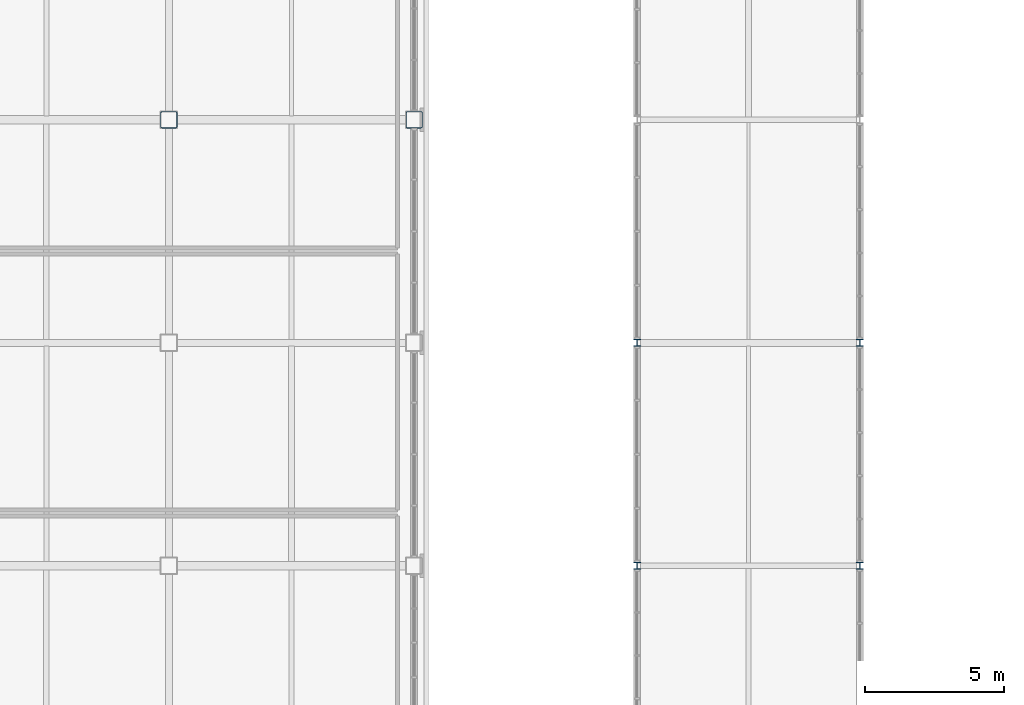
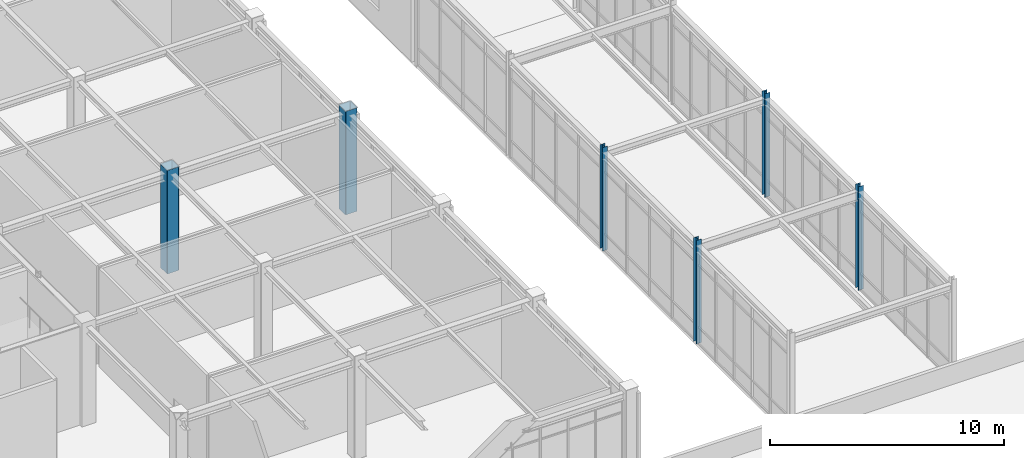
# One storey, part 4 of 108: 6 columns.
"""IFC4 building model written with IfcOpenShell, lengths in metres."""

from ifc_helpers import new_model, si_unit, direction, frame, origin, origin_2d, place, context, subcontext, project, spatial, hollow_rectangle, i_section, extrude, material, material_profile, profile_set, type_object, element, save


model = new_model("IFC4")

# Units and contexts
model_context = context("Model", 3, precision=1e-05, world=origin(), true_north=direction((0.0, 1.0)))
body_context = subcontext(model_context, "Body", "Model", "MODEL_VIEW")
ifc_project = project(units=[si_unit("LENGTHUNIT", "METRE"), si_unit("AREAUNIT", "SQUARE_METRE"), si_unit("VOLUMEUNIT", "CUBIC_METRE"), si_unit("PLANEANGLEUNIT", "RADIAN"), si_unit("MASSUNIT", "GRAM", prefix="KILO")], contexts=[model_context])

# Site, building, storey
site_placement = place(None, origin())
site = spatial("IfcSite", under=ifc_project, at=site_placement, CompositionType="ELEMENT")
building_placement = place(site_placement, origin())
building = spatial("IfcBuilding", under=site, at=building_placement, Name="Zhaolan Boulevard Law Courts", CompositionType="ELEMENT")
storey_placement = place(building_placement, frame((0.0, 0.0, 10.800048828125)))
storey = spatial("IfcBuildingStorey", under=building, at=storey_placement, Name="L02", CompositionType="ELEMENT", Elevation=10.800048828125)

# Columns
ifc_material_1 = material(Name="Structural steel Q390B", Category="steel")
ifc_material_profile_1 = material_profile(ifc_material_1, hollow_rectangle(XDim=0.60009765625, YDim=0.60009765625, WallThickness=0.02392578125, InnerFilletRadius=0.02392578125, OuterFilletRadius=0.048095703125, at=origin_2d()), Name="BOX600x600x24")
ifc_profile_set_1 = profile_set([ifc_material_profile_1], Name="Structural steel Q390B")
column_type_1 = type_object("IfcColumnType", Name="COL BOX600", PredefinedType="COLUMN", material=ifc_profile_set_1)
for number, where, z_axis, x_axis, name in (
    (1, (35.199951171875, 54.0, 0.0), (0.0, 0.0, 1.0), (1.0, 0.0, 0.0), "Column C-5H (L02)"),
    (2, (44.0, 54.0, 0.0), (0.0, 0.0, 1.0), (1.0, 0.0, 0.0), "Column C-6H (L02)"),
):
    element("IfcColumn", number, at=place(storey_placement, frame(where, z_axis=z_axis, x_axis=x_axis)), inside=storey, type_object=column_type_1, Name=name, PredefinedType="COLUMN", context=body_context, shape_type="SweptSolid", body=[
        extrude(hollow_rectangle(XDim=0.60009765625, YDim=0.60009765625, WallThickness=0.02392578125, InnerFilletRadius=0.02392578125, OuterFilletRadius=0.048095703125, at=origin_2d()), origin(), (0.0, 0.0, 1.0), 5.39990234375),
    ])
ifc_material_2 = material(Name="Structural steel Q355B", Category="steel")
ifc_material_profile_2 = material_profile(ifc_material_2, i_section(OverallWidth=0.25, OverallDepth=0.25, WebThickness=0.009033203125, FlangeThickness=0.013916015625, FilletRadius=0.01611328125, at=origin_2d()), Name="HW250x250")
ifc_profile_set_2 = profile_set([ifc_material_profile_2], Name="Structural steel Q355B")
column_type_2 = type_object("IfcColumnType", Name="COL HW250", PredefinedType="COLUMN", material=ifc_profile_set_2)
for number, where, z_axis, x_axis, name in (
    (3, (52.0, 38.0, 0.0), (0.0, 0.0, 1.0), (1.0, 0.0, 0.0), "Column C-7F (L02)"),
    (4, (52.0, 46.0, 0.0), (0.0, 0.0, 1.0), (1.0, 0.0, 0.0), "Column C-7G (L02)"),
    (5, (60.0, 38.0, 0.0), (0.0, 0.0, 1.0), (1.0, 0.0, 0.0), "Column C-8F (L02)"),
    (6, (60.0, 46.0, 0.0), (0.0, 0.0, 1.0), (1.0, 0.0, 0.0), "Column C-8G (L02)"),
):
    element("IfcColumn", number, at=place(storey_placement, frame(where, z_axis=z_axis, x_axis=x_axis)), inside=storey, type_object=column_type_2, Name=name, PredefinedType="COLUMN", context=body_context, shape_type="SweptSolid", body=[
        extrude(i_section(OverallWidth=0.25, OverallDepth=0.25, WebThickness=0.009033203125, FlangeThickness=0.013916015625, FilletRadius=0.01611328125, at=origin_2d()), origin(), (0.0, 0.0, 1.0), 5.39990234375),
    ])

save(model, "model.ifc")
